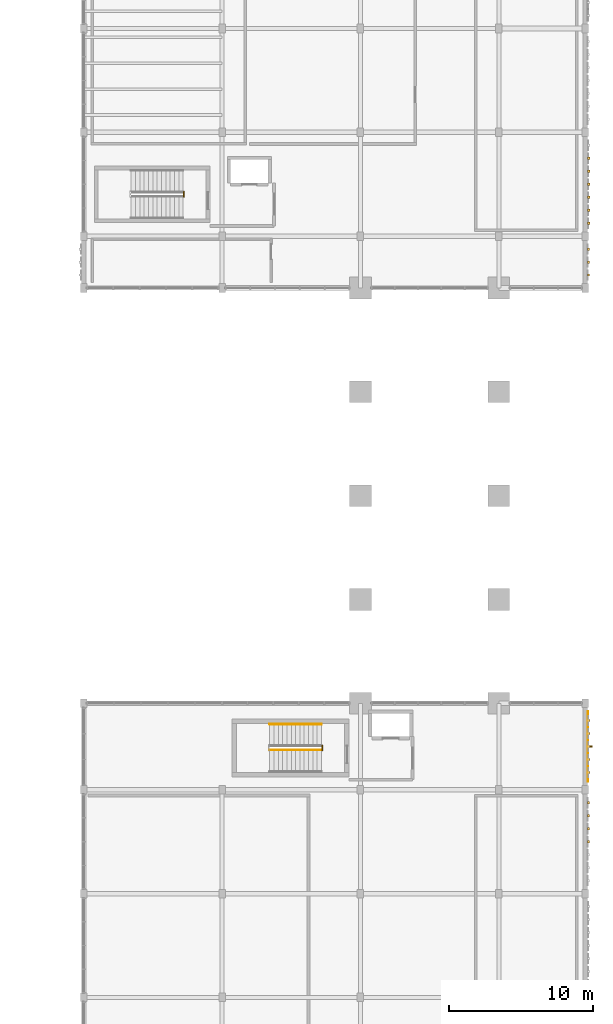
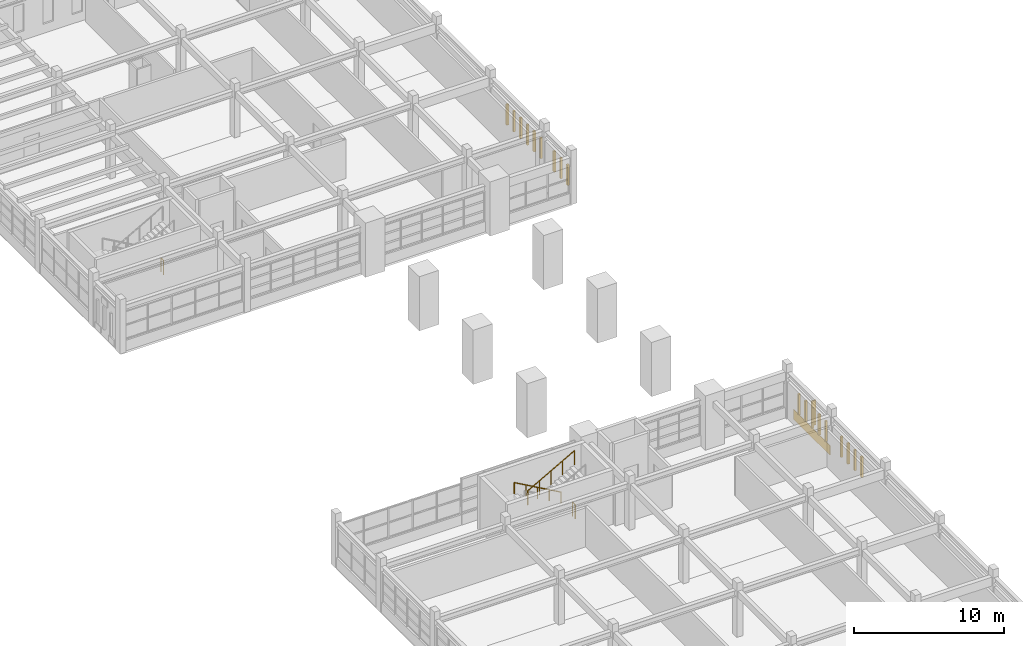
# One storey, part 62 of 69: 19 coverings, 4 railings, 1 shading device.
"""IFC4 building model written with IfcOpenShell, lengths in metres."""

from ifc_helpers import new_model, si_unit, direction, frame, origin, origin_2d, place, context, subcontext, project, spatial, rectangle, circle, extrude, material, layer, layer_set, type_object, element, save


model = new_model("IFC4")

# Units and contexts
model_context = context("Model", 3, precision=1e-05, world=origin(), true_north=direction((0.0, 1.0)))
body_context = subcontext(model_context, "Body", "Model", "MODEL_VIEW")
ifc_project = project(units=[si_unit("LENGTHUNIT", "METRE"), si_unit("AREAUNIT", "SQUARE_METRE"), si_unit("VOLUMEUNIT", "CUBIC_METRE"), si_unit("PLANEANGLEUNIT", "RADIAN"), si_unit("MASSUNIT", "GRAM", prefix="KILO")], contexts=[model_context])

# Site, building, storey
site_placement = place(None, origin())
site = spatial("IfcSite", under=ifc_project, at=site_placement, CompositionType="ELEMENT")
building_placement = place(site_placement, origin())
building = spatial("IfcBuilding", under=site, at=building_placement, Name="Nzembalo Square Collegiate School", CompositionType="ELEMENT")
storey_placement = place(building_placement, frame((0.0, 0.0, 5.10009765625)))
storey = spatial("IfcBuildingStorey", under=building, at=storey_placement, Name="L01", CompositionType="ELEMENT", Elevation=5.10009765625)

# Coverings
ifc_material_1 = material(Name="Glazed cobalt ceramic patterned tile")
ifc_layer_1 = layer(ifc_material_1, 0.074951171875, Name="Glazed cobalt ceramic patterned tile")
ifc_layer_set_1 = layer_set([ifc_layer_1], Name="Glazed cobalt ceramic patterned tile")
covering_type_1 = type_object("IfcCoveringType", Name="CL01", PredefinedType="CLADDING", material=ifc_layer_set_1)
covering_placement = place(storey_placement, frame((165.77490234375, 47.39990234375, 0.02001953125), z_axis=(0.0, 0.0, 1.0), x_axis=(1.0, 0.0, 0.0)))
element("IfcCovering", 1, at=covering_placement, inside=storey, type_object=covering_type_1, Name="Faience spandrel cladding CL01-0104", PredefinedType="CLADDING", context=body_context, shape_type="SweptSolid", body=[
    extrude(rectangle(XDim=0.034912109375, YDim=4.89599609375, at=origin_2d()), origin(), (0.0, 0.0, 1.0), 0.800048828125),
])
ifc_material_2 = material(Name="Glazed ochre ceramic lancet rib")
ifc_layer_2 = layer(ifc_material_2, 0.159912109375, Name="Glazed ochre ceramic lancet rib")
ifc_layer_set_2 = layer_set([ifc_layer_2], Name="Glazed ochre ceramic lancet rib")
covering_type_2 = type_object("IfcCoveringType", Name="CL02", PredefinedType="CLADDING", material=ifc_layer_set_2)
for number, where, z_axis, x_axis, name in (
    (2, (165.820068359375, 40.800048828125, 0.759765625), (0.0, 0.0, 1.0), (1.0, 0.0, 0.0), "Gothic ceramic rib CL02-Y0103-3"),
    (3, (165.820068359375, 41.699951171875, 0.759765625), (0.0, 0.0, 1.0), (1.0, 0.0, 0.0), "Gothic ceramic rib CL02-Y0103-4"),
    (4, (165.820068359375, 42.60009765625, 0.759765625), (0.0, 0.0, 1.0), (1.0, 0.0, 0.0), "Gothic ceramic rib CL02-Y0103-5"),
    (5, (165.820068359375, 43.5, 0.759765625), (0.0, 0.0, 1.0), (1.0, 0.0, 0.0), "Gothic ceramic rib CL02-Y0103-6"),
    (6, (165.830078125, 45.60009765625, 0.759765625), (0.0, 0.0, 1.0), (1.0, 0.0, 0.0), "Gothic ceramic rib CL02-Y0104-0"),
    (7, (165.830078125, 46.5, 0.759765625), (0.0, 0.0, 1.0), (1.0, 0.0, 0.0), "Gothic ceramic rib CL02-Y0104-1"),
    (8, (165.830078125, 47.39990234375, 0.759765625), (0.0, 0.0, 1.0), (1.0, 0.0, 0.0), "Gothic ceramic rib CL02-Y0104-2"),
    (9, (165.830078125, 48.300048828125, 0.759765625), (0.0, 0.0, 1.0), (1.0, 0.0, 0.0), "Gothic ceramic rib CL02-Y0104-3"),
    (10, (165.830078125, 49.199951171875, 0.759765625), (0.0, 0.0, 1.0), (1.0, 0.0, 0.0), "Gothic ceramic rib CL02-Y0104-4"),
    (11, (165.820068359375, 80.10009765625, 0.759765625), (0.0, 0.0, 1.0), (1.0, 0.0, 0.0), "Gothic ceramic rib CL02-Y0137-0"),
    (12, (165.820068359375, 81.0, 0.759765625), (0.0, 0.0, 1.0), (1.0, 0.0, 0.0), "Gothic ceramic rib CL02-Y0137-1"),
    (13, (165.820068359375, 81.89990234375, 0.759765625), (0.0, 0.0, 1.0), (1.0, 0.0, 0.0), "Gothic ceramic rib CL02-Y0137-2"),
    (14, (165.830078125, 83.699951171875, 0.759765625), (0.0, 0.0, 1.0), (1.0, 0.0, 0.0), "Gothic ceramic rib CL02-Y0138-0"),
    (15, (165.830078125, 84.60009765625, 0.759765625), (0.0, 0.0, 1.0), (1.0, 0.0, 0.0), "Gothic ceramic rib CL02-Y0138-1"),
    (16, (165.830078125, 85.5, 0.759765625), (0.0, 0.0, 1.0), (1.0, 0.0, 0.0), "Gothic ceramic rib CL02-Y0138-2"),
    (17, (165.830078125, 86.39990234375, 0.759765625), (0.0, 0.0, 1.0), (1.0, 0.0, 0.0), "Gothic ceramic rib CL02-Y0138-3"),
    (18, (165.830078125, 87.300048828125, 0.759765625), (0.0, 0.0, 1.0), (1.0, 0.0, 0.0), "Gothic ceramic rib CL02-Y0138-4"),
    (19, (165.830078125, 88.199951171875, 0.759765625), (0.0, 0.0, 1.0), (1.0, 0.0, 0.0), "Gothic ceramic rib CL02-Y0138-5"),
):
    element("IfcCovering", number, at=place(storey_placement, frame(where, z_axis=z_axis, x_axis=x_axis)), inside=storey, type_object=covering_type_2, Name=name, PredefinedType="CLADDING", context=body_context, shape_type="SweptSolid", body=[
        extrude(rectangle(XDim=0.159912109375, YDim=0.159912109375, at=origin_2d()), origin(), (0.0, 0.0, 1.0), 1.674072265625),
    ])

# Railings
ifc_material_3 = material(Name="Steel S355", Category="steel")
railing_type_1 = type_object("IfcRailingType", Name="GR01", PredefinedType="GUARDRAIL", material=ifc_material_3)
railing_1_placement = place(storey_placement, frame((137.75, 85.52001953125, -0.005126953125)))
element("IfcRailing", 20, at=railing_1_placement, inside=storey, type_object=railing_type_1, Name="Stair guard GR-14-4", PredefinedType="GUARDRAIL", context=body_context, shape_type="SweptSolid", body=[
    extrude(circle(Radius=0.02392578125, at=origin_2d()), frame((0.0, 0.0, 1.1259765625), z_axis=(0.0, 1.0, 0.0), x_axis=(-1.0, 0.0, 0.0)), (0.0, 0.0, 1.0), 0.35986328125),
    extrude(circle(Radius=0.02099609375, at=origin_2d()), origin(), (0.0, 0.0, 1.0), 1.101806640625),
    extrude(circle(Radius=0.02099609375, at=origin_2d()), frame((0.0, 0.35986328125, 0.0)), (0.0, 0.0, 1.0), 1.101806640625),
])
railing_2_placement = place(storey_placement, frame((143.699951171875, 47.14990234375, 2.369873046875)))
element("IfcRailing", 21, at=railing_2_placement, inside=storey, type_object=railing_type_1, Name="Stair guard GR-20-3", PredefinedType="GUARDRAIL", context=body_context, shape_type="SweptSolid", body=[
    extrude(circle(Radius=0.02392578125, at=origin_2d()), frame((0.0, 0.0, 1.1259765625), z_axis=(0.870023872995, 0.0, 0.493009594652), x_axis=(0.0, 1.0, 0.0)), (0.0, 0.0, 1.0), 4.137939453125),
    extrude(circle(Radius=0.02099609375, at=origin_2d()), origin(), (0.0, 0.0, 1.0), 1.101806640625),
    extrude(circle(Radius=0.02099609375, at=origin_2d()), frame((0.89990234375, 0.0, 0.510009765625)), (0.0, 0.0, 1.0), 1.101806640625),
    extrude(circle(Radius=0.02099609375, at=origin_2d()), frame((1.800048828125, 0.0, 1.02001953125)), (0.0, 0.0, 1.0), 1.101806640625),
    extrude(circle(Radius=0.02099609375, at=origin_2d()), frame((2.7001953125, 0.0, 1.530029296875)), (0.0, 0.0, 1.0), 1.101806640625),
    extrude(circle(Radius=0.02099609375, at=origin_2d()), frame((3.60009765625, 0.0, 2.0400390625)), (0.0, 0.0, 1.0), 1.101806640625),
])
railing_3_placement = place(storey_placement, frame((147.35009765625, 47.1201171875, -0.005126953125)))
element("IfcRailing", 22, at=railing_3_placement, inside=storey, type_object=railing_type_1, Name="Stair guard GR-20-4", PredefinedType="GUARDRAIL", context=body_context, shape_type="SweptSolid", body=[
    extrude(circle(Radius=0.02392578125, at=origin_2d()), frame((0.0, 0.0, 1.1259765625), z_axis=(0.0, 1.0, 0.0), x_axis=(-1.0, 0.0, 0.0)), (0.0, 0.0, 1.0), 0.35986328125),
    extrude(circle(Radius=0.02099609375, at=origin_2d()), origin(), (0.0, 0.0, 1.0), 1.101806640625),
    extrude(circle(Radius=0.02099609375, at=origin_2d()), frame((0.0, 0.35986328125, 0.0)), (0.0, 0.0, 1.0), 1.101806640625),
])
ifc_material_4 = material(Name="Steel S355", Category="steel")
railing_type_2 = type_object("IfcRailingType", Name="HR01", PredefinedType="HANDRAIL", material=ifc_material_4)
railing_4_placement = place(storey_placement, frame((147.300048828125, 48.949951171875, 0.159912109375)))
element("IfcRailing", 23, at=railing_4_placement, inside=storey, type_object=railing_type_2, Name="Stair handrail HR-20-1", PredefinedType="HANDRAIL", context=body_context, shape_type="SweptSolid", body=[
    extrude(circle(Radius=0.02392578125, at=origin_2d()), frame((0.0, 0.0, 0.89599609375), z_axis=(-0.870023872995, 0.0, 0.493009594652), x_axis=(0.0, -1.0, 0.0)), (0.0, 0.0, 1.0), 4.137939453125),
    extrude(circle(Radius=0.02099609375, at=origin_2d()), origin(), (0.0, 0.0, 1.0), 0.871826171875),
    extrude(circle(Radius=0.02099609375, at=origin_2d()), frame((-0.89990234375, 0.0, 0.510009765625)), (0.0, 0.0, 1.0), 0.871826171875),
    extrude(circle(Radius=0.02099609375, at=origin_2d()), frame((-1.800048828125, 0.0, 1.02001953125)), (0.0, 0.0, 1.0), 0.871826171875),
    extrude(circle(Radius=0.02099609375, at=origin_2d()), frame((-2.7001953125, 0.0, 1.530029296875)), (0.0, 0.0, 1.0), 0.871826171875),
    extrude(circle(Radius=0.02099609375, at=origin_2d()), frame((-3.60009765625, 0.0, 2.0400390625)), (0.0, 0.0, 1.0), 0.871826171875),
])

# Shading device
ifc_material_5 = material(Name="Glazed ochre ceramic vertical fin")
shading_device_type = type_object("IfcShadingDeviceType", Name="JL01", PredefinedType="JALOUSIE", material=ifc_material_5)
shading_device_placement = place(storey_placement, frame((165.9150390625, 47.39990234375, 0.949951171875), z_axis=(0.0, 0.0, 1.0), x_axis=(1.0, 0.0, 0.0)))
element("IfcShadingDevice", 24, at=shading_device_placement, inside=storey, type_object=shading_device_type, Name="Ceramic fin JL01-0104", PredefinedType="JALOUSIE", context=body_context, shape_type="SweptSolid", body=[
    extrude(rectangle(XDim=0.320068359375, YDim=0.090087890625, at=origin_2d()), origin(), (0.0, 0.0, 1.0), 2.02392578125),
])

save(model, "model.ifc")
